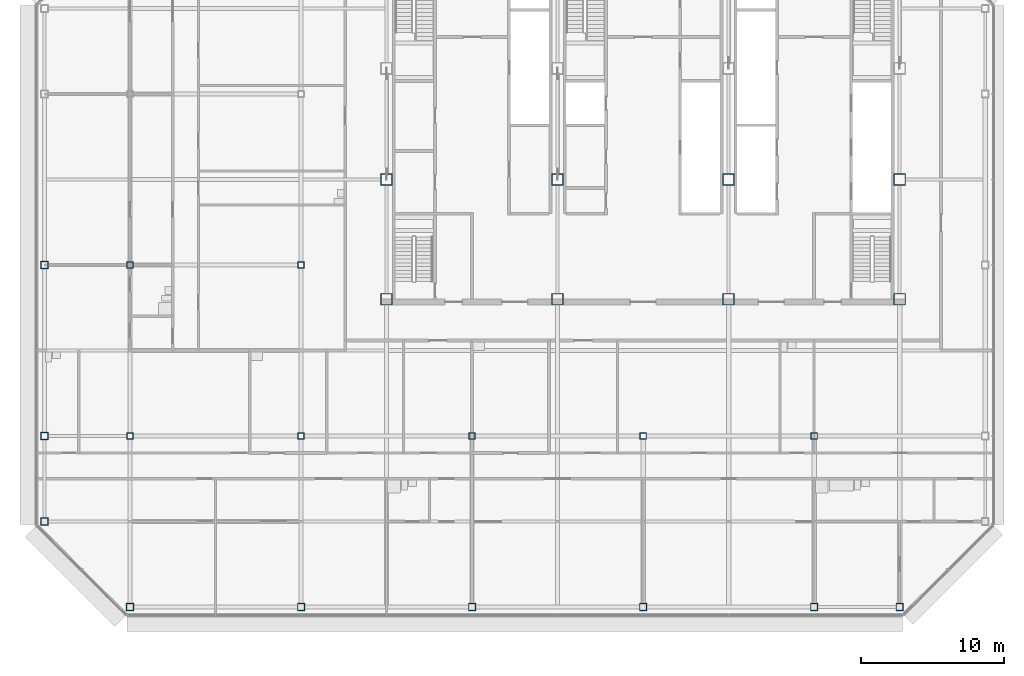
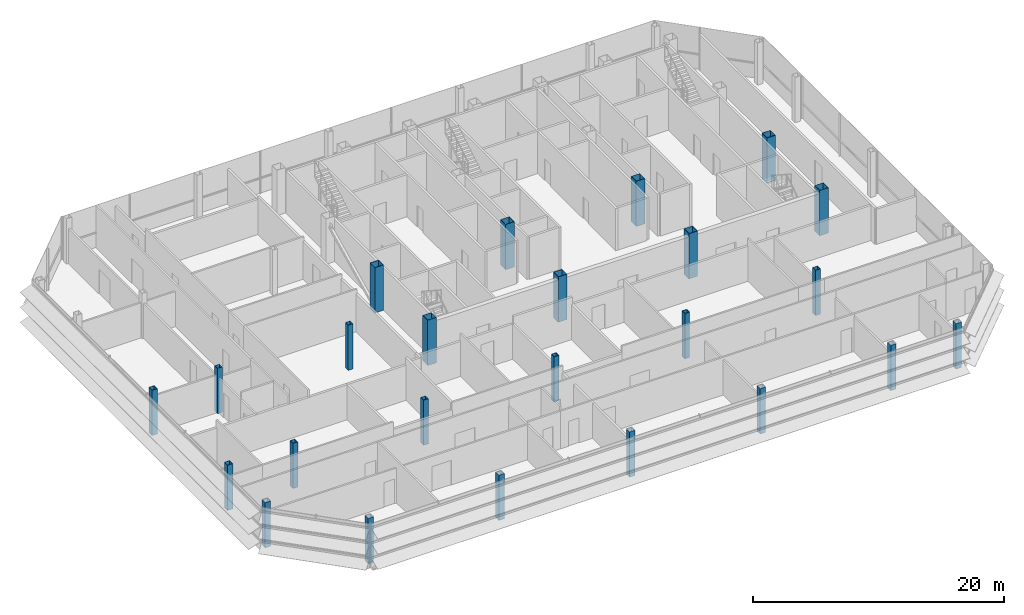
# One storey, part 1 of 29: 24 columns.
"""IFC4 building model written with IfcOpenShell, lengths in metres."""

from ifc_helpers import new_model, si_unit, direction, frame, origin, origin_2d, place, context, subcontext, project, spatial, hollow_rectangle, extrude, material, material_profile, profile_set, type_object, element, save


model = new_model("IFC4")

# Units and contexts
model_context = context("Model", 3, precision=1e-05, world=origin(), true_north=direction((0.0, 1.0)))
body_context = subcontext(model_context, "Body", "Model", "MODEL_VIEW")
ifc_project = project(units=[si_unit("LENGTHUNIT", "METRE"), si_unit("AREAUNIT", "SQUARE_METRE"), si_unit("VOLUMEUNIT", "CUBIC_METRE"), si_unit("PLANEANGLEUNIT", "RADIAN"), si_unit("MASSUNIT", "GRAM", prefix="KILO")], contexts=[model_context])

# Site, building, storey
site_placement = place(None, origin())
site = spatial("IfcSite", under=ifc_project, at=site_placement, CompositionType="ELEMENT")
building_placement = place(site_placement, origin())
building = spatial("IfcBuilding", under=site, at=building_placement, Name="Sorahane Residences", CompositionType="ELEMENT")
storey_placement = place(building_placement, frame((0.0, 0.0, 326.800048828125)))
storey = spatial("IfcBuildingStorey", under=building, at=storey_placement, Name="L78", CompositionType="ELEMENT", Elevation=326.800048828125)

# Columns
ifc_material_1 = material(Name="Steel Q355B", Category="steel")
ifc_material_profile_1 = material_profile(ifc_material_1, hollow_rectangle(XDim=0.449951171875, YDim=0.449951171875, WallThickness=0.02197265625, at=origin_2d()), Name="BOX 450x450x22")
ifc_profile_set_1 = profile_set([ifc_material_profile_1], Name="Steel Q355B")
column_type_1 = type_object("IfcColumnType", Name="Steel box column BOX 450x450x22 Q355B", PredefinedType="COLUMN", material=ifc_profile_set_1)
for number, where, z_axis, x_axis, name in (
    (1, (-12.0, 12.0, 0.0), (0.0, 0.0, 1.0), (1.0, 0.0, 0.0), "Column L78 m12/12"),
    (2, (-12.0, 24.0, 0.0), (0.0, 0.0, 1.0), (1.0, 0.0, 0.0), "Column L78 m12/24"),
    (3, (0.0, 12.0, 0.0), (0.0, 0.0, 1.0), (1.0, 0.0, 0.0), "Column L78 0/12"),
    (4, (0.0, 24.0, 0.0), (0.0, 0.0, 1.0), (1.0, 0.0, 0.0), "Column L78 0/24"),
    (5, (12.0, 12.0, 0.0), (0.0, 0.0, 1.0), (1.0, 0.0, 0.0), "Column L78 12/12"),
    (6, (24.0, 12.0, 0.0), (0.0, 0.0, 1.0), (1.0, 0.0, 0.0), "Column L78 24/12"),
    (7, (36.0, 12.0, 0.0), (0.0, 0.0, 1.0), (1.0, 0.0, 0.0), "Column L78 36/12"),
):
    element("IfcColumn", number, at=place(storey_placement, frame(where, z_axis=z_axis, x_axis=x_axis)), inside=storey, type_object=column_type_1, Name=name, PredefinedType="COLUMN", context=body_context, shape_type="SweptSolid", body=[
        extrude(hollow_rectangle(XDim=0.449951171875, YDim=0.449951171875, WallThickness=0.02197265625, at=origin_2d()), origin(), (0.0, 0.0, 1.0), 4.39990234375),
    ])
ifc_material_2 = material(Name="Steel Q355B", Category="steel")
ifc_material_profile_2 = material_profile(ifc_material_2, hollow_rectangle(XDim=0.5, YDim=0.5, WallThickness=0.02490234375, at=origin_2d()), Name="BOX 500x500x25")
ifc_profile_set_2 = profile_set([ifc_material_profile_2], Name="Steel Q355B")
column_type_2 = type_object("IfcColumnType", Name="Steel box column BOX 500x500x25 Q355B", PredefinedType="COLUMN", material=ifc_profile_set_2)
for number, where, z_axis, x_axis, name in (
    (8, (-18.0, 6.0, 0.0), (0.0, 0.0, 1.0), (1.0, 0.0, 0.0), "Column L78 m18/6"),
    (9, (-18.0, 12.0, 0.0), (0.0, 0.0, 1.0), (1.0, 0.0, 0.0), "Column L78 m18/12"),
    (10, (-18.0, 24.0, 0.0), (0.0, 0.0, 1.0), (1.0, 0.0, 0.0), "Column L78 m18/24"),
    (11, (-12.0, 0.0, 0.0), (0.0, 0.0, 1.0), (1.0, 0.0, 0.0), "Column L78 m12/0"),
    (12, (0.0, 0.0, 0.0), (0.0, 0.0, 1.0), (1.0, 0.0, 0.0), "Column L78 0/0"),
    (13, (12.0, 0.0, 0.0), (0.0, 0.0, 1.0), (1.0, 0.0, 0.0), "Column L78 12/0"),
    (14, (24.0, 0.0, 0.0), (0.0, 0.0, 1.0), (1.0, 0.0, 0.0), "Column L78 24/0"),
    (15, (36.0, 0.0, 0.0), (0.0, 0.0, 1.0), (1.0, 0.0, 0.0), "Column L78 36/0"),
    (16, (42.0, 0.0, 0.0), (0.0, 0.0, 1.0), (1.0, 0.0, 0.0), "Column L78 42/0"),
):
    element("IfcColumn", number, at=place(storey_placement, frame(where, z_axis=z_axis, x_axis=x_axis)), inside=storey, type_object=column_type_2, Name=name, PredefinedType="COLUMN", context=body_context, shape_type="SweptSolid", body=[
        extrude(hollow_rectangle(XDim=0.5, YDim=0.5, WallThickness=0.02490234375, at=origin_2d()), origin(), (0.0, 0.0, 1.0), 4.39990234375),
    ])
ifc_material_3 = material(Name="Steel Q355B", Category="steel")
ifc_material_profile_3 = material_profile(ifc_material_3, hollow_rectangle(XDim=0.800048828125, YDim=0.800048828125, WallThickness=0.02490234375, at=origin_2d()), Name="BOX 800x800x25")
ifc_profile_set_3 = profile_set([ifc_material_profile_3], Name="Steel Q355B")
column_type_3 = type_object("IfcColumnType", Name="Steel box column BOX 800x800x25 Q355B", PredefinedType="COLUMN", material=ifc_profile_set_3)
for number, where, z_axis, x_axis, name in (
    (17, (6.0, 21.60009765625, 0.0), (0.0, 0.0, 1.0), (1.0, 0.0, 0.0), "Column L78 6/21.6"),
    (18, (6.0, 30.0, 0.0), (0.0, 0.0, 1.0), (1.0, 0.0, 0.0), "Column L78 6/30"),
    (19, (18.0, 21.60009765625, 0.0), (0.0, 0.0, 1.0), (1.0, 0.0, 0.0), "Column L78 18/21.6"),
    (20, (18.0, 30.0, 0.0), (0.0, 0.0, 1.0), (1.0, 0.0, 0.0), "Column L78 18/30"),
    (21, (30.0, 21.60009765625, 0.0), (0.0, 0.0, 1.0), (1.0, 0.0, 0.0), "Column L78 30/21.6"),
    (22, (30.0, 30.0, 0.0), (0.0, 0.0, 1.0), (1.0, 0.0, 0.0), "Column L78 30/30"),
    (23, (42.0, 21.60009765625, 0.0), (0.0, 0.0, 1.0), (1.0, 0.0, 0.0), "Column L78 42/21.6"),
    (24, (42.0, 30.0, 0.0), (0.0, 0.0, 1.0), (1.0, 0.0, 0.0), "Column L78 42/30"),
):
    element("IfcColumn", number, at=place(storey_placement, frame(where, z_axis=z_axis, x_axis=x_axis)), inside=storey, type_object=column_type_3, Name=name, PredefinedType="COLUMN", context=body_context, shape_type="SweptSolid", body=[
        extrude(hollow_rectangle(XDim=0.800048828125, YDim=0.800048828125, WallThickness=0.02490234375, at=origin_2d()), origin(), (0.0, 0.0, 1.0), 4.39990234375),
    ])

save(model, "model.ifc")
